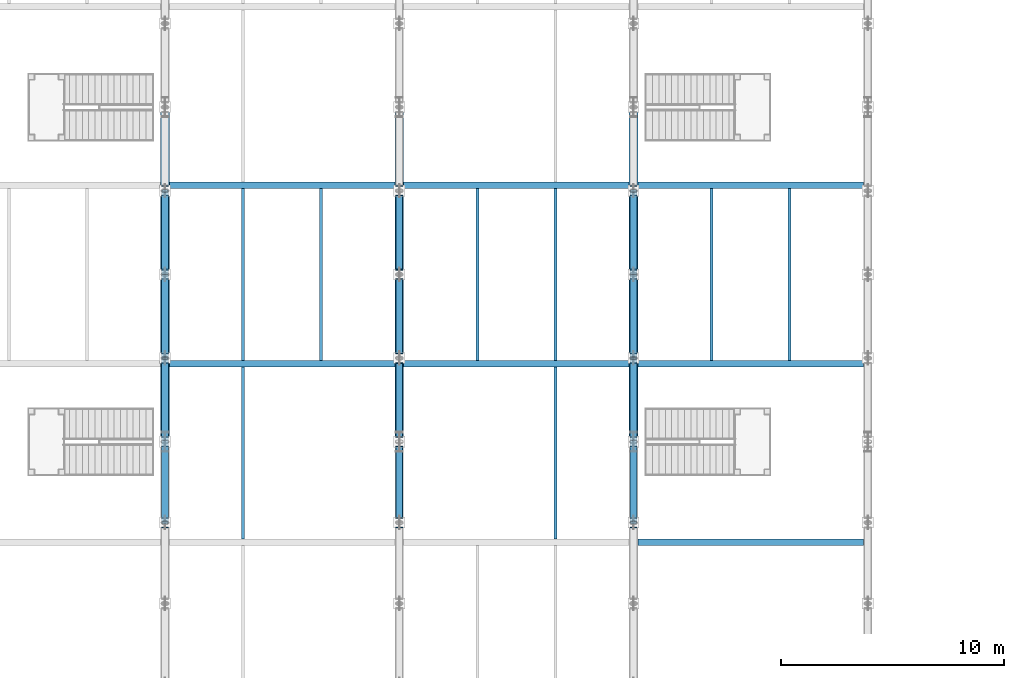
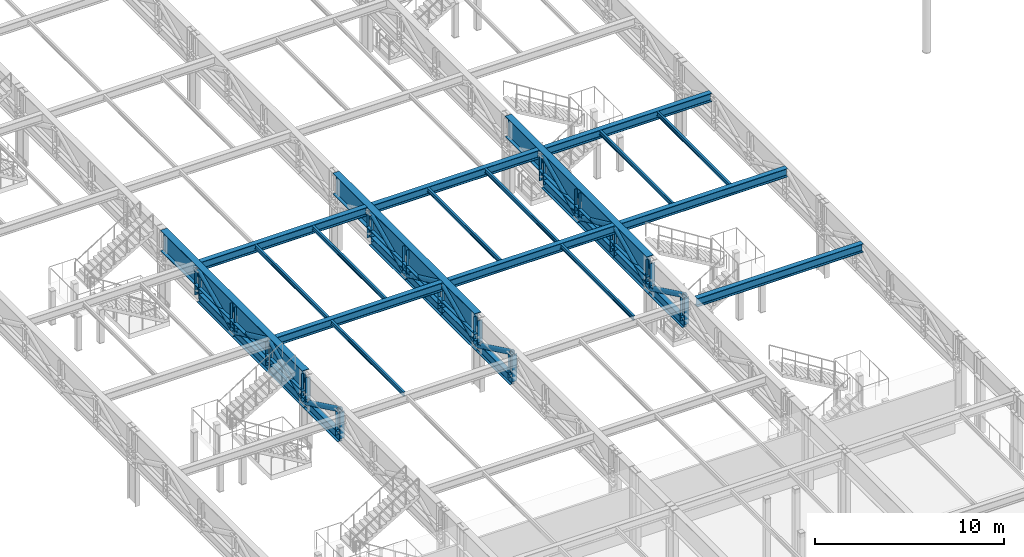
# One storey, part 35 of 143: 39 members, 18 beams.
"""IFC4 building model written with IfcOpenShell, lengths in metres."""

import ifcopenshell
import ifcopenshell.guid

model = None  # the IFC model being written
_history = None  # IfcOwnerHistory: only IFC2X3 demands one
_inside = {}  # id of a spatial element -> (the spatial element, [elements in it])
_under = {}  # id of a project, library or spatial element -> (it, [spatial elements below it])
_declared = {}  # id of a project -> (the project, [libraries it declares])
_typed = {}  # id of a type object -> (the type object, [elements of that type])
_made_of = {}  # id of a material, layer set ... -> (it, [elements and type objects made of it])


def new_model(schema):
    """Start an empty IFC model of exactly this schema.

    Asked for "IFC4X3", IfcOpenShell would pick the latest addendum, in which some entities
    have other attributes; the version numbers below select the first issue.
    IFC2X3 requires an IfcOwnerHistory on every rooted entity: one is made here for all.
    """
    global model, _history
    if schema == "IFC4X3":
        model = ifcopenshell.file(schema_version=(4, 3, 0, 0))
    else:
        model = ifcopenshell.file(schema=schema)
    _inside.clear()
    _under.clear()
    _declared.clear()
    _typed.clear()
    _made_of.clear()
    _history = None
    if model.schema == "IFC2X3":
        org = make("IfcOrganization", Name="unknown")
        user = make(
            "IfcPersonAndOrganization",
            ThePerson=make("IfcPerson", FamilyName="unknown"),
            TheOrganization=org,
        )
        app = make(
            "IfcApplication",
            ApplicationDeveloper=org,
            Version="unknown",
            ApplicationFullName="unknown",
            ApplicationIdentifier="unknown",
        )
        _history = make(
            "IfcOwnerHistory",
            OwningUser=user,
            OwningApplication=app,
            ChangeAction="ADDED",
            CreationDate=0,
        )
    return model


def make(cls, **values):
    """One entity of the class cls with the attributes given. An attribute that is None is left unset."""
    return model.create_entity(
        cls, **{name: value for name, value in values.items() if value is not None}
    )


def rooted(cls, **values):
    """An entity with a GlobalId (a new one), such as an element, a storey or a relation."""
    return make(cls, GlobalId=ifcopenshell.guid.new(), OwnerHistory=_history, **values)


def si_unit(unit_type, name, prefix=None):
    """IfcSIUnit, for example si_unit("LENGTHUNIT", "METRE", prefix="MILLI")."""
    return make("IfcSIUnit", UnitType=unit_type, Prefix=prefix, Name=name)


def assignment(units):
    """IfcUnitAssignment: the units of a project."""
    return None if units is None else make("IfcUnitAssignment", Units=units)


def point(xyz):
    """IfcCartesianPoint."""
    return None if xyz is None else make("IfcCartesianPoint", Coordinates=xyz)


def direction(xyz):
    """IfcDirection."""
    return None if xyz is None else make("IfcDirection", DirectionRatios=xyz)


def frame(location, z_axis=None, x_axis=None):
    """IfcAxis2Placement3D, a coordinate frame: its origin and axes. An axis left out is left unset."""
    return make(
        "IfcAxis2Placement3D",
        Location=point(location),
        Axis=direction(z_axis),
        RefDirection=direction(x_axis),
    )


def frame_2d(location, x_axis=None):
    """IfcAxis2Placement2D, a coordinate frame in the plane: its origin and x axis."""
    return make(
        "IfcAxis2Placement2D", Location=point(location), RefDirection=direction(x_axis)
    )


def origin():
    """The frame at (0, 0, 0) with its axes left unset."""
    return frame((0.0, 0.0, 0.0))


def origin_2d():
    """The frame at (0, 0) in the plane with its x axis left unset."""
    return frame_2d((0.0, 0.0))


def place(relative_to, where):
    """IfcLocalPlacement: puts the frame where relative to a parent placement (None: the world)."""
    return make(
        "IfcLocalPlacement", PlacementRelTo=relative_to, RelativePlacement=where
    )


def context(
    kind, dimensions, precision=None, world=None, true_north=None, identifier=None
):
    """IfcGeometricRepresentationContext, for example the 3D "Model" context."""
    return make(
        "IfcGeometricRepresentationContext",
        ContextIdentifier=identifier,
        ContextType=kind,
        CoordinateSpaceDimension=dimensions,
        Precision=precision,
        WorldCoordinateSystem=world,
        TrueNorth=true_north,
    )


def subcontext(parent, identifier, kind, view, scale=None):
    """IfcGeometricRepresentationSubContext, for example "Body" below "Model"."""
    return make(
        "IfcGeometricRepresentationSubContext",
        ContextIdentifier=identifier,
        ContextType=kind,
        ParentContext=parent,
        TargetScale=scale,
        TargetView=view,
    )


def project(units=None, contexts=None):
    """IfcProject with its units and contexts."""
    return rooted(
        "IfcProject",
        Name="project",
        RepresentationContexts=contexts,
        UnitsInContext=assignment(units),
    )


def spatial(cls, under=None, at=None, **own):
    """A site, building, storey or space (cls), placed at a placement, below another one or the project."""
    s = rooted(cls, ObjectPlacement=at, **own)
    if under is not None:
        _under.setdefault(under.id(), (under, []))[1].append(s)
    return s


def profile(cls, at=None, kind="AREA", **sizes):
    """A parametric profile (cls). Its sizes go by their IFC names, for example OverallWidth=200.0."""
    return make(cls, ProfileType=kind, Position=at, **sizes)


def hollow_circle(**sizes):
    """IfcCircleHollowProfileDef."""
    return profile("IfcCircleHollowProfileDef", **sizes)


def i_section(**sizes):
    """IfcIShapeProfileDef."""
    return profile("IfcIShapeProfileDef", **sizes)


def extrude(swept, where, along, depth):
    """IfcExtrudedAreaSolid: the profile swept, set in the frame where, extruded along a direction by depth."""
    return make(
        "IfcExtrudedAreaSolid",
        SweptArea=swept,
        Position=where,
        ExtrudedDirection=direction(along),
        Depth=depth,
    )


def shape(context_of_items, identifier, shape_type, items):
    """IfcShapeRepresentation: the items that make up one representation, for example the "Body"."""
    return make(
        "IfcShapeRepresentation",
        ContextOfItems=context_of_items,
        RepresentationIdentifier=identifier,
        RepresentationType=shape_type,
        Items=items,
    )


def material(Name=None, Category=None):
    """IfcMaterial."""
    return make("IfcMaterial", Name=Name, Category=Category)


def material_profile(
    of_material, cross_section, Name=None, Category=None, Priority=None
):
    """IfcMaterialProfile: a cross section and its material."""
    return make(
        "IfcMaterialProfile",
        Name=Name,
        Material=of_material,
        Profile=cross_section,
        Priority=Priority,
        Category=Category,
    )


def profile_set(profiles, Name=None, composite=None):
    """IfcMaterialProfileSet."""
    return make(
        "IfcMaterialProfileSet",
        Name=Name,
        MaterialProfiles=profiles,
        CompositeProfile=composite,
    )


def made_of(thing, what):
    """Note that an element or type object is made of a material, layer set ...; save() writes the relation."""
    if what is not None:
        _made_of.setdefault(what.id(), (what, []))[1].append(thing)
    return thing


def type_object(cls, material=None, **own):
    """A type object (cls), such as IfcWallType, which elements share."""
    return made_of(rooted(cls, **own), material)


def element(
    cls,
    number,
    at=None,
    inside=None,
    cuts=None,
    type_object=None,
    material=None,
    context=None,
    identifier="Body",
    shape_type=None,
    held_by="IfcProductDefinitionShape",
    body=None,
    shapes=None,
    **own,
):
    """One element of the class cls, such as IfcWall. Its Tag is "e" and its number.

    at: its placement. inside: the storey or other place that contains it. cuts: it is an
    opening in that element (IfcRelVoidsElement). A single representation is given by context,
    identifier, shape_type and body (its items); several are given by shapes. held_by: the class
    of the entity that holds the representations. save() writes the other relations.
    """
    e = rooted(cls, Tag="e%d" % number, ObjectPlacement=at, **own)
    if body is not None:
        shapes = [shape(context, identifier, shape_type, body)]
    if shapes is not None:
        e.Representation = make(held_by, Representations=shapes)
    if inside is not None:
        _inside.setdefault(inside.id(), (inside, []))[1].append(e)
    if cuts is not None:
        rooted(
            "IfcRelVoidsElement", RelatingBuildingElement=cuts, RelatedOpeningElement=e
        )
    if type_object is not None:
        _typed.setdefault(type_object.id(), (type_object, []))[1].append(e)
    return made_of(e, material)


def aggregate(whole, parts):
    """IfcRelAggregates: a whole, such as a stair, and the parts it consists of."""
    return rooted("IfcRelAggregates", RelatingObject=whole, RelatedObjects=parts)


def save(model, path):
    """Write the relations noted so far, then the file.

    IfcRelAggregates (storeys below a building ...), IfcRelContainedInSpatialStructure (elements
    in a storey), IfcRelDefinesByType, IfcRelAssociatesMaterial and IfcRelDeclares: one each for
    every whole, place, type object, material and project.
    """
    for whole, parts in _under.values():
        aggregate(whole, parts)
    for where, things in _inside.values():
        rooted(
            "IfcRelContainedInSpatialStructure",
            RelatedElements=things,
            RelatingStructure=where,
        )
    for kind, things in _typed.values():
        rooted("IfcRelDefinesByType", RelatedObjects=things, RelatingType=kind)
    for what, things in _made_of.values():
        rooted("IfcRelAssociatesMaterial", RelatedObjects=things, RelatingMaterial=what)
    for by, libraries in _declared.values():
        rooted("IfcRelDeclares", RelatingContext=by, RelatedDefinitions=libraries)
    model.write(path)


model = new_model("IFC4")

# Units and contexts
model_context = context("Model", 3, precision=1e-05, world=origin(), true_north=direction((0.0, 1.0)))
body_context = subcontext(model_context, "Body", "Model", "MODEL_VIEW")
ifc_project = project(units=[si_unit("LENGTHUNIT", "METRE"), si_unit("AREAUNIT", "SQUARE_METRE"), si_unit("VOLUMEUNIT", "CUBIC_METRE"), si_unit("PLANEANGLEUNIT", "RADIAN"), si_unit("MASSUNIT", "GRAM", prefix="KILO")], contexts=[model_context])

# Site, building, storey
site_placement = place(None, origin())
site = spatial("IfcSite", under=ifc_project, at=site_placement, CompositionType="ELEMENT")
building_placement = place(site_placement, origin())
building = spatial("IfcBuilding", under=site, at=building_placement, Name="Marlcrest Central Station", CompositionType="ELEMENT")
storey_placement = place(building_placement, frame((0.0, 0.0, 4.800048828125)))
storey = spatial("IfcBuildingStorey", under=building, at=storey_placement, Name="L01", CompositionType="ELEMENT", Elevation=4.800048828125)

# Beams
ifc_material = material(Name="Steel S355", Category="steel")
ifc_material_profile_1 = material_profile(ifc_material, i_section(OverallWidth=0.300048828125, OverallDepth=0.550048828125, WebThickness=0.014892578125, FlangeThickness=0.029052734375, FilletRadius=0.027099609375, at=origin_2d()), Name="HEB 550")
ifc_profile_set_1 = profile_set([ifc_material_profile_1], Name="Steel S355")
beam_type_1 = type_object("IfcBeamType", Name="BM-11", PredefinedType="BEAM", material=ifc_profile_set_1)
for number, where, z_axis, x_axis, name in (
    (1, (118.695068359375, 46.5, 4.5400390625), (1.0, 0.0, 0.0), (0.0, 1.0, 0.0), "bm-BM-11-L01-01185"),
    (2, (97.695068359375, 54.5, 4.5400390625), (1.0, 0.0, 0.0), (0.0, 1.0, 0.0), "bm-BM-11-L01-01187"),
    (3, (108.195068359375, 54.5, 4.5400390625), (1.0, 0.0, 0.0), (0.0, 1.0, 0.0), "bm-BM-11-L01-01188"),
    (4, (118.695068359375, 54.5, 4.5400390625), (1.0, 0.0, 0.0), (0.0, 1.0, 0.0), "bm-BM-11-L01-01189"),
    (5, (97.695068359375, 62.5, 4.5400390625), (1.0, 0.0, 0.0), (0.0, 1.0, 0.0), "bm-BM-11-L01-01194"),
    (6, (108.195068359375, 62.5, 4.5400390625), (1.0, 0.0, 0.0), (0.0, 1.0, 0.0), "bm-BM-11-L01-01195"),
    (7, (118.695068359375, 62.5, 4.5400390625), (1.0, 0.0, 0.0), (0.0, 1.0, 0.0), "bm-BM-11-L01-01196"),
):
    element("IfcBeam", number, at=place(storey_placement, frame(where, z_axis=z_axis, x_axis=x_axis)), inside=storey, type_object=beam_type_1, Name=name, PredefinedType="BEAM", context=body_context, shape_type="SweptSolid", body=[
        extrude(i_section(OverallWidth=0.300048828125, OverallDepth=0.550048828125, WebThickness=0.014892578125, FlangeThickness=0.029052734375, FilletRadius=0.027099609375, at=origin_2d()), origin(), (0.0, 0.0, 1.0), 10.10986328125),
    ])
ifc_material_profile_2 = material_profile(ifc_material, i_section(OverallWidth=0.135009765625, OverallDepth=0.27001953125, WebThickness=0.006591796875, FlangeThickness=0.01025390625, FilletRadius=0.014892578125, at=origin_2d()), Name="IPE 270")
ifc_profile_set_2 = profile_set([ifc_material_profile_2], Name="Steel S355")
beam_type_2 = type_object("IfcBeamType", Name="JS-04", PredefinedType="JOIST", material=ifc_profile_set_2)
for number, where, z_axis, x_axis, name in (
    (8, (101.0, 46.64794921875, 4.679931640625), (0.0, 1.0, 0.0), (-1.0, 0.0, 0.0), "bm-JS-04-L01-01263"),
    (9, (115.0, 46.64794921875, 4.679931640625), (0.0, 1.0, 0.0), (-1.0, 0.0, 0.0), "bm-JS-04-L01-01264"),
    (10, (101.0, 54.64794921875, 4.679931640625), (0.0, 1.0, 0.0), (-1.0, 0.0, 0.0), "bm-JS-04-L01-01269"),
    (11, (104.5, 54.64794921875, 4.679931640625), (0.0, 1.0, 0.0), (-1.0, 0.0, 0.0), "bm-JS-04-L01-01270"),
    (12, (111.5, 54.64794921875, 4.679931640625), (0.0, 1.0, 0.0), (-1.0, 0.0, 0.0), "bm-JS-04-L01-01271"),
    (13, (115.0, 54.64794921875, 4.679931640625), (0.0, 1.0, 0.0), (-1.0, 0.0, 0.0), "bm-JS-04-L01-01272"),
    (14, (122.0, 54.64794921875, 4.679931640625), (0.0, 1.0, 0.0), (-1.0, 0.0, 0.0), "bm-JS-04-L01-01273"),
    (15, (125.5, 54.64794921875, 4.679931640625), (0.0, 1.0, 0.0), (-1.0, 0.0, 0.0), "bm-JS-04-L01-01274"),
):
    element("IfcBeam", number, at=place(storey_placement, frame(where, z_axis=z_axis, x_axis=x_axis)), inside=storey, type_object=beam_type_2, Name=name, PredefinedType="JOIST", context=body_context, shape_type="SweptSolid", body=[
        extrude(i_section(OverallWidth=0.135009765625, OverallDepth=0.27001953125, WebThickness=0.006591796875, FlangeThickness=0.01025390625, FilletRadius=0.014892578125, at=origin_2d()), origin(), (0.0, 0.0, 1.0), 7.7041015625),
    ])

# Members
ifc_material_profile_3 = material_profile(ifc_material, i_section(OverallWidth=0.300048828125, OverallDepth=0.64990234375, WebThickness=0.01611328125, FlangeThickness=0.031005859375, FilletRadius=0.027099609375, at=origin_2d()), Name="HEB 650")
ifc_profile_set_3 = profile_set([ifc_material_profile_3], Name="Steel S355")
member_type_1 = type_object("IfcMemberType", Name="TC-01", PredefinedType="CHORD", material=ifc_profile_set_3)
member_1_placement = place(storey_placement, frame((97.5, 47.375, 2.744873046875), z_axis=(0.0, 1.0, 0.0), x_axis=(-1.0, 0.0, 0.0)))
element("IfcMember", 16, at=member_1_placement, inside=storey, type_object=member_type_1, Name="mem-TC-01-L01-02177", PredefinedType="CHORD", context=body_context, shape_type="SweptSolid", body=[
    extrude(i_section(OverallWidth=0.300048828125, OverallDepth=0.64990234375, WebThickness=0.01611328125, FlangeThickness=0.031005859375, FilletRadius=0.027099609375, at=origin_2d()), origin(), (0.0, 0.0, 1.0), 3.625),
])
for number, where, z_axis, x_axis, name in (
    (17, (97.5, 51.0, 2.744873046875), (0.0, 1.0, 0.0), (-1.0, 0.0, 0.0), "mem-TC-01-L01-02180"),
    (18, (97.5, 54.75, 2.744873046875), (0.0, 1.0, 0.0), (-1.0, 0.0, 0.0), "mem-TC-01-L01-02183"),
    (19, (97.5, 58.5, 2.744873046875), (0.0, 1.0, 0.0), (-1.0, 0.0, 0.0), "mem-TC-01-L01-02186"),
):
    element("IfcMember", number, at=place(storey_placement, frame(where, z_axis=z_axis, x_axis=x_axis)), inside=storey, type_object=member_type_1, Name=name, PredefinedType="CHORD", context=body_context, shape_type="SweptSolid", body=[
        extrude(i_section(OverallWidth=0.300048828125, OverallDepth=0.64990234375, WebThickness=0.01611328125, FlangeThickness=0.031005859375, FilletRadius=0.027099609375, at=origin_2d()), origin(), (0.0, 0.0, 1.0), 3.75),
    ])
member_2_placement = place(storey_placement, frame((108.0, 47.375, 2.744873046875), z_axis=(0.0, 1.0, 0.0), x_axis=(-1.0, 0.0, 0.0)))
element("IfcMember", 20, at=member_2_placement, inside=storey, type_object=member_type_1, Name="mem-TC-01-L01-02226", PredefinedType="CHORD", context=body_context, shape_type="SweptSolid", body=[
    extrude(i_section(OverallWidth=0.300048828125, OverallDepth=0.64990234375, WebThickness=0.01611328125, FlangeThickness=0.031005859375, FilletRadius=0.027099609375, at=origin_2d()), origin(), (0.0, 0.0, 1.0), 3.625),
])
for number, where, z_axis, x_axis, name in (
    (21, (108.0, 51.0, 2.744873046875), (0.0, 1.0, 0.0), (-1.0, 0.0, 0.0), "mem-TC-01-L01-02229"),
    (22, (108.0, 54.75, 2.744873046875), (0.0, 1.0, 0.0), (-1.0, 0.0, 0.0), "mem-TC-01-L01-02232"),
    (23, (108.0, 58.5, 2.744873046875), (0.0, 1.0, 0.0), (-1.0, 0.0, 0.0), "mem-TC-01-L01-02235"),
):
    element("IfcMember", number, at=place(storey_placement, frame(where, z_axis=z_axis, x_axis=x_axis)), inside=storey, type_object=member_type_1, Name=name, PredefinedType="CHORD", context=body_context, shape_type="SweptSolid", body=[
        extrude(i_section(OverallWidth=0.300048828125, OverallDepth=0.64990234375, WebThickness=0.01611328125, FlangeThickness=0.031005859375, FilletRadius=0.027099609375, at=origin_2d()), origin(), (0.0, 0.0, 1.0), 3.75),
    ])
member_3_placement = place(storey_placement, frame((118.5, 47.375, 2.744873046875), z_axis=(0.0, 1.0, 0.0), x_axis=(-1.0, 0.0, 0.0)))
element("IfcMember", 24, at=member_3_placement, inside=storey, type_object=member_type_1, Name="mem-TC-01-L01-02275", PredefinedType="CHORD", context=body_context, shape_type="SweptSolid", body=[
    extrude(i_section(OverallWidth=0.300048828125, OverallDepth=0.64990234375, WebThickness=0.01611328125, FlangeThickness=0.031005859375, FilletRadius=0.027099609375, at=origin_2d()), origin(), (0.0, 0.0, 1.0), 3.625),
])
for number, where, z_axis, x_axis, name in (
    (25, (118.5, 51.0, 2.744873046875), (0.0, 1.0, 0.0), (-1.0, 0.0, 0.0), "mem-TC-01-L01-02278"),
    (26, (118.5, 54.75, 2.744873046875), (0.0, 1.0, 0.0), (-1.0, 0.0, 0.0), "mem-TC-01-L01-02281"),
    (27, (118.5, 58.5, 2.744873046875), (0.0, 1.0, 0.0), (-1.0, 0.0, 0.0), "mem-TC-01-L01-02284"),
):
    element("IfcMember", number, at=place(storey_placement, frame(where, z_axis=z_axis, x_axis=x_axis)), inside=storey, type_object=member_type_1, Name=name, PredefinedType="CHORD", context=body_context, shape_type="SweptSolid", body=[
        extrude(i_section(OverallWidth=0.300048828125, OverallDepth=0.64990234375, WebThickness=0.01611328125, FlangeThickness=0.031005859375, FilletRadius=0.027099609375, at=origin_2d()), origin(), (0.0, 0.0, 1.0), 3.75),
    ])
ifc_material_profile_4 = material_profile(ifc_material, hollow_circle(Radius=0.161865234375, WallThickness=0.01611328125, at=origin_2d()), Name="CHS 323.9x16")
ifc_profile_set_4 = profile_set([ifc_material_profile_4], Name="Steel S355")
member_type_2 = type_object("IfcMemberType", Name="TD-01", PredefinedType="BRACE", material=ifc_profile_set_4)
member_4_placement = place(storey_placement, frame((97.5, 47.375, 4.494873046875), z_axis=(0.0, 0.900551636365, -0.434749065831), x_axis=(-1.0, 0.0, 0.0)))
element("IfcMember", 28, at=member_4_placement, inside=storey, type_object=member_type_2, Name="mem-TD-01-L01-02179", PredefinedType="BRACE", context=body_context, shape_type="SweptSolid", body=[
    extrude(hollow_circle(Radius=0.161865234375, WallThickness=0.01611328125, at=origin_2d()), origin(), (0.0, 0.0, 1.0), 4.025390625),
])
for number, where, z_axis, x_axis, name in (
    (29, (97.5, 51.0, 2.744873046875), (0.0, 0.906183139995, 0.422885465331), (-1.0, 0.0, 0.0), "mem-TD-01-L01-02182"),
    (30, (97.5, 54.75, 4.494873046875), (0.0, 0.906183139995, -0.422885465331), (-1.0, 0.0, 0.0), "mem-TD-01-L01-02185"),
    (31, (97.5, 58.5, 2.744873046875), (0.0, 0.906183139995, 0.422885465331), (-1.0, 0.0, 0.0), "mem-TD-01-L01-02188"),
):
    element("IfcMember", number, at=place(storey_placement, frame(where, z_axis=z_axis, x_axis=x_axis)), inside=storey, type_object=member_type_2, Name=name, PredefinedType="BRACE", context=body_context, shape_type="SweptSolid", body=[
        extrude(hollow_circle(Radius=0.161865234375, WallThickness=0.01611328125, at=origin_2d()), origin(), (0.0, 0.0, 1.0), 4.13818359375),
    ])
member_5_placement = place(storey_placement, frame((108.0, 47.375, 4.494873046875), z_axis=(0.0, 0.900551636365, -0.434749065831), x_axis=(-1.0, 0.0, 0.0)))
element("IfcMember", 32, at=member_5_placement, inside=storey, type_object=member_type_2, Name="mem-TD-01-L01-02228", PredefinedType="BRACE", context=body_context, shape_type="SweptSolid", body=[
    extrude(hollow_circle(Radius=0.161865234375, WallThickness=0.01611328125, at=origin_2d()), origin(), (0.0, 0.0, 1.0), 4.025390625),
])
for number, where, z_axis, x_axis, name in (
    (33, (108.0, 51.0, 2.744873046875), (0.0, 0.906183139995, 0.422885465331), (-1.0, 0.0, 0.0), "mem-TD-01-L01-02231"),
    (34, (108.0, 54.75, 4.494873046875), (0.0, 0.906183139995, -0.422885465331), (-1.0, 0.0, 0.0), "mem-TD-01-L01-02234"),
    (35, (108.0, 58.5, 2.744873046875), (0.0, 0.906183139995, 0.422885465331), (-1.0, 0.0, 0.0), "mem-TD-01-L01-02237"),
):
    element("IfcMember", number, at=place(storey_placement, frame(where, z_axis=z_axis, x_axis=x_axis)), inside=storey, type_object=member_type_2, Name=name, PredefinedType="BRACE", context=body_context, shape_type="SweptSolid", body=[
        extrude(hollow_circle(Radius=0.161865234375, WallThickness=0.01611328125, at=origin_2d()), origin(), (0.0, 0.0, 1.0), 4.13818359375),
    ])
member_6_placement = place(storey_placement, frame((118.5, 47.375, 4.494873046875), z_axis=(0.0, 0.900551636365, -0.434749065831), x_axis=(-1.0, 0.0, 0.0)))
element("IfcMember", 36, at=member_6_placement, inside=storey, type_object=member_type_2, Name="mem-TD-01-L01-02277", PredefinedType="BRACE", context=body_context, shape_type="SweptSolid", body=[
    extrude(hollow_circle(Radius=0.161865234375, WallThickness=0.01611328125, at=origin_2d()), origin(), (0.0, 0.0, 1.0), 4.025390625),
])
for number, where, z_axis, x_axis, name in (
    (37, (118.5, 51.0, 2.744873046875), (0.0, 0.906183139995, 0.422885465331), (-1.0, 0.0, 0.0), "mem-TD-01-L01-02280"),
    (38, (118.5, 54.75, 4.494873046875), (0.0, 0.906183139995, -0.422885465331), (-1.0, 0.0, 0.0), "mem-TD-01-L01-02283"),
    (39, (118.5, 58.5, 2.744873046875), (0.0, 0.906183139995, 0.422885465331), (-1.0, 0.0, 0.0), "mem-TD-01-L01-02286"),
):
    element("IfcMember", number, at=place(storey_placement, frame(where, z_axis=z_axis, x_axis=x_axis)), inside=storey, type_object=member_type_2, Name=name, PredefinedType="BRACE", context=body_context, shape_type="SweptSolid", body=[
        extrude(hollow_circle(Radius=0.161865234375, WallThickness=0.01611328125, at=origin_2d()), origin(), (0.0, 0.0, 1.0), 4.13818359375),
    ])

# Beams
ifc_material_profile_5 = material_profile(ifc_material, i_section(OverallWidth=0.39990234375, OverallDepth=1.35009765625, WebThickness=0.02197265625, FlangeThickness=0.034912109375, at=origin_2d()), Name="PG 1350x400")
ifc_profile_set_5 = profile_set([ifc_material_profile_5], Name="Steel S355")
beam_type_3 = type_object("IfcBeamType", Name="TG-01", PredefinedType="USERDEFINED", material=ifc_profile_set_5)
for number, where, z_axis, x_axis, name in (
    (40, (97.5, 51.02001953125, 4.139892578125), (0.0, 1.0, 0.0), (-1.0, 0.0, 0.0), "bm-TG-01-L01-01148"),
    (41, (108.0, 51.02001953125, 4.139892578125), (0.0, 1.0, 0.0), (-1.0, 0.0, 0.0), "bm-TG-01-L01-01152"),
    (42, (118.5, 51.02001953125, 4.139892578125), (0.0, 1.0, 0.0), (-1.0, 0.0, 0.0), "bm-TG-01-L01-01156"),
):
    element("IfcBeam", number, at=place(storey_placement, frame(where, z_axis=z_axis, x_axis=x_axis)), inside=storey, type_object=beam_type_3, Name=name, ObjectType="TRANSFER_GIRDER", PredefinedType="USERDEFINED", context=body_context, shape_type="SweptSolid", body=[
        extrude(i_section(OverallWidth=0.39990234375, OverallDepth=1.35009765625, WebThickness=0.02197265625, FlangeThickness=0.034912109375, at=origin_2d()), origin(), (0.0, 0.0, 1.0), 14.9599609375),
    ])

# Members
ifc_material_profile_6 = material_profile(ifc_material, i_section(OverallWidth=0.300048828125, OverallDepth=0.449951171875, WebThickness=0.013916015625, FlangeThickness=0.02587890625, FilletRadius=0.027099609375, at=origin_2d()), Name="HEB 450")
ifc_profile_set_6 = profile_set([ifc_material_profile_6], Name="Steel S355")
member_type_3 = type_object("IfcMemberType", Name="TP-01", PredefinedType="POST", material=ifc_profile_set_6)
for number, where, z_axis, x_axis, name in (
    (43, (97.5, 47.375, 2.744873046875), (0.0, 0.0, 1.0), (1.0, 0.0, 0.0), "mem-TP-01-L01-02178"),
    (44, (97.5, 51.0, 2.744873046875), (0.0, 0.0, 1.0), (1.0, 0.0, 0.0), "mem-TP-01-L01-02181"),
    (45, (97.5, 54.75, 2.744873046875), (0.0, 0.0, 1.0), (1.0, 0.0, 0.0), "mem-TP-01-L01-02184"),
    (46, (97.5, 58.5, 2.744873046875), (0.0, 0.0, 1.0), (1.0, 0.0, 0.0), "mem-TP-01-L01-02187"),
    (47, (97.5, 62.25, 2.744873046875), (0.0, 0.0, 1.0), (1.0, 0.0, 0.0), "mem-TP-01-L01-02190"),
    (48, (108.0, 47.375, 2.744873046875), (0.0, 0.0, 1.0), (1.0, 0.0, 0.0), "mem-TP-01-L01-02227"),
    (49, (108.0, 51.0, 2.744873046875), (0.0, 0.0, 1.0), (1.0, 0.0, 0.0), "mem-TP-01-L01-02230"),
    (50, (108.0, 54.75, 2.744873046875), (0.0, 0.0, 1.0), (1.0, 0.0, 0.0), "mem-TP-01-L01-02233"),
    (51, (108.0, 58.5, 2.744873046875), (0.0, 0.0, 1.0), (1.0, 0.0, 0.0), "mem-TP-01-L01-02236"),
    (52, (108.0, 62.25, 2.744873046875), (0.0, 0.0, 1.0), (1.0, 0.0, 0.0), "mem-TP-01-L01-02239"),
    (53, (118.5, 47.375, 2.744873046875), (0.0, 0.0, 1.0), (1.0, 0.0, 0.0), "mem-TP-01-L01-02276"),
    (54, (118.5, 51.0, 2.744873046875), (0.0, 0.0, 1.0), (1.0, 0.0, 0.0), "mem-TP-01-L01-02279"),
    (55, (118.5, 54.75, 2.744873046875), (0.0, 0.0, 1.0), (1.0, 0.0, 0.0), "mem-TP-01-L01-02282"),
    (56, (118.5, 58.5, 2.744873046875), (0.0, 0.0, 1.0), (1.0, 0.0, 0.0), "mem-TP-01-L01-02285"),
    (57, (118.5, 62.25, 2.744873046875), (0.0, 0.0, 1.0), (1.0, 0.0, 0.0), "mem-TP-01-L01-02288"),
):
    element("IfcMember", number, at=place(storey_placement, frame(where, z_axis=z_axis, x_axis=x_axis)), inside=storey, type_object=member_type_3, Name=name, PredefinedType="POST", context=body_context, shape_type="SweptSolid", body=[
        extrude(i_section(OverallWidth=0.300048828125, OverallDepth=0.449951171875, WebThickness=0.013916015625, FlangeThickness=0.02587890625, FilletRadius=0.027099609375, at=origin_2d()), origin(), (0.0, 0.0, 1.0), 1.75),
    ])

save(model, "model.ifc")
